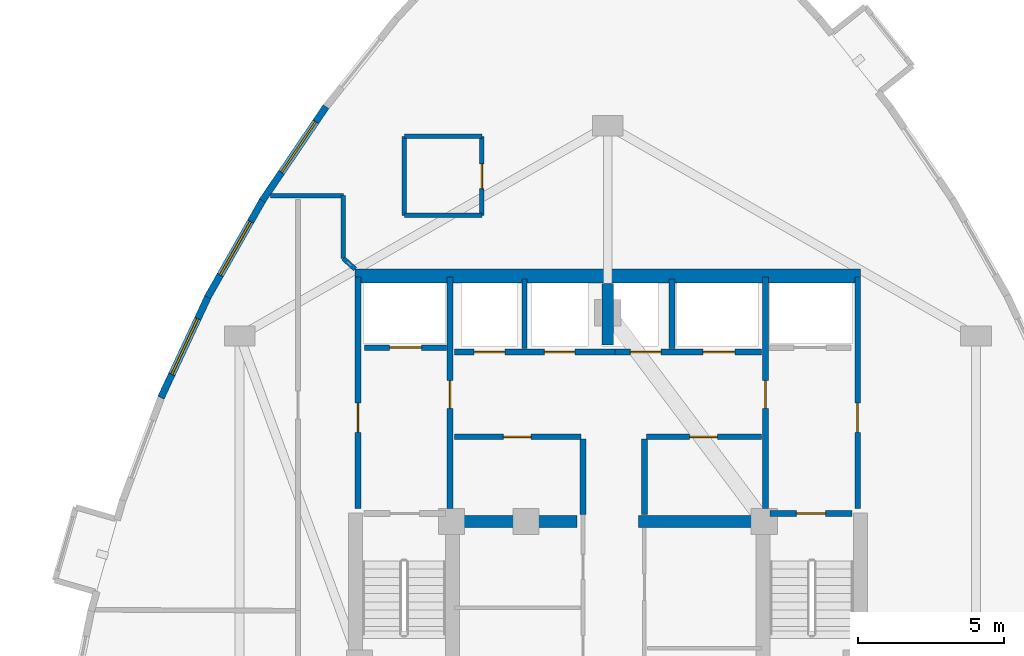
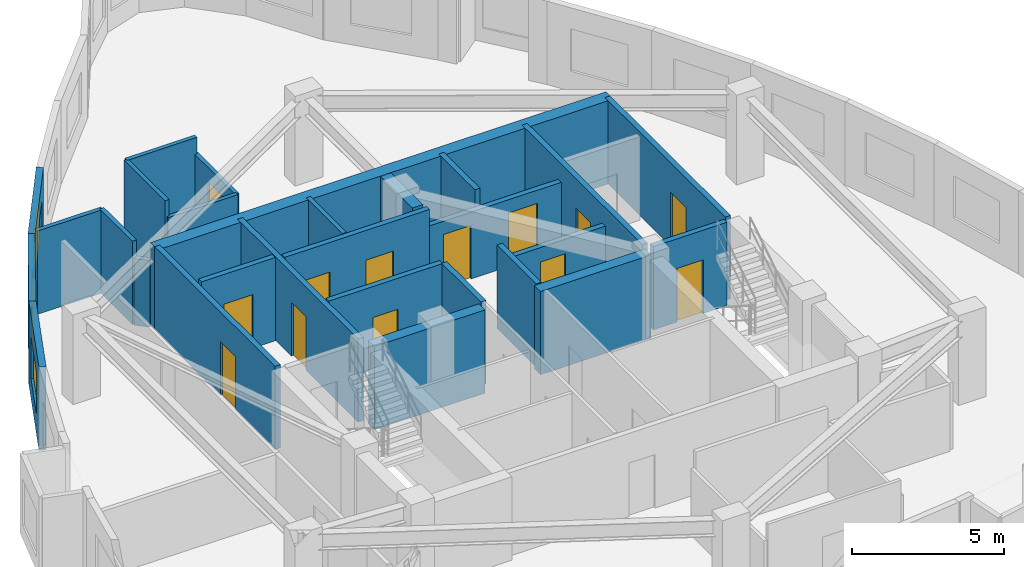
# One storey, part 7 of 10: 28 walls, 13 doors, 3 windows, 16 openings.
"""IFC4 building model written with IfcOpenShell, lengths in metres."""

from ifc_helpers import new_model, si_unit, direction, frame, frame_2d, origin, place, context, subcontext, project, spatial, rectangle, extrude, material, layer, layer_set, type_object, element, fill, save


model = new_model("IFC4")

# Units and contexts
model_context = context("Model", 3, precision=1e-05, world=origin(), true_north=direction((0.0, 1.0)))
body_context = subcontext(model_context, "Body", "Model", "MODEL_VIEW")
ifc_project = project(units=[si_unit("LENGTHUNIT", "METRE"), si_unit("AREAUNIT", "SQUARE_METRE"), si_unit("VOLUMEUNIT", "CUBIC_METRE"), si_unit("PLANEANGLEUNIT", "RADIAN"), si_unit("MASSUNIT", "GRAM", prefix="KILO")], contexts=[model_context])

# Site, building, storey
site_placement = place(None, origin())
site = spatial("IfcSite", under=ifc_project, at=site_placement, CompositionType="ELEMENT")
building_placement = place(site_placement, origin())
building = spatial("IfcBuilding", under=site, at=building_placement, Name="Miruveldt Soraemaru", CompositionType="ELEMENT")
storey_placement = place(building_placement, frame((0.0, 0.0, 226.800048828125)))
storey = spatial("IfcBuildingStorey", under=building, at=storey_placement, Name="L62", CompositionType="ELEMENT", Elevation=226.800048828125)

# Walls
ifc_material_1 = material(Name="Concrete C70/85 (70 MPa)", Category="concrete")
ifc_layer_1 = layer(ifc_material_1, 0.5, Name="Concrete C70/85 (70 MPa)", Category="concrete")
ifc_layer_set_1 = layer_set([ifc_layer_1], Name="Concrete C70/85 (70 MPa)")
wall_type_1 = type_object("IfcWallType", Name="WALL-BW-500", PredefinedType="SHEAR", material=ifc_layer_set_1)
wall_1_placement = place(storey_placement, frame((44.0, 50.10009765625, 0.0), z_axis=(0.0, 0.0, 1.0), x_axis=(0.0, 1.0, 0.0)))
element("IfcWall", 1, at=wall_1_placement, inside=storey, type_object=wall_type_1, Name="L62 Core Buttress Shear Wall BN", PredefinedType="SHEAR", context=body_context, shape_type="SweptSolid", body=[
    extrude(rectangle(XDim=2.099853515625, YDim=0.39990234375, at=frame_2d((1.0498046875, 0.0))), origin(), (0.0, 0.0, 1.0), 3.344970703125),
])
for number, where, z_axis, x_axis, name in (
    (2, (38.75, 44.050048828125, 0.0), (0.0, 0.0, 1.0), (1.0, 0.0, 0.0), "L62 Core Buttress Shear Wall BW"),
    (3, (45.050048828125, 44.050048828125, 0.0), (0.0, 0.0, 1.0), (1.0, 0.0, 0.0), "L62 Core Buttress Shear Wall BE"),
):
    element("IfcWall", number, at=place(storey_placement, frame(where, z_axis=z_axis, x_axis=x_axis)), inside=storey, type_object=wall_type_1, Name=name, PredefinedType="SHEAR", context=body_context, shape_type="SweptSolid", body=[
        extrude(rectangle(XDim=4.199951171875, YDim=0.39990234375, at=frame_2d((2.10009765625, 0.0))), origin(), (0.0, 0.0, 1.0), 3.344970703125),
    ])
ifc_material_2 = material(Name="Concrete C60/75 (60 MPa)", Category="concrete")
ifc_layer_2 = layer(ifc_material_2, 0.47998046875, Name="Concrete C60/75 (60 MPa)", Category="concrete")
ifc_layer_set_2 = layer_set([ifc_layer_2], Name="Concrete C60/75 (60 MPa)")
wall_type_2 = type_object("IfcWallType", Name="WALL-CW-480", PredefinedType="SHEAR", material=ifc_layer_set_2)
wall_2_placement = place(storey_placement, frame((35.35009765625, 52.449951171875, 0.0), z_axis=(0.0, 0.0, 1.0), x_axis=(1.0, 0.0, 0.0)))
element("IfcWall", 4, at=wall_2_placement, inside=storey, type_object=wall_type_2, Name="L62 Central Core Shear Wall N", PredefinedType="SHEAR", context=body_context, shape_type="SweptSolid", body=[
    extrude(rectangle(XDim=17.2998046875, YDim=0.47998046875, at=frame_2d((8.64990234375, 0.0))), origin(), (0.0, 0.0, 1.0), 3.344970703125),
])

# Wall, opening, window
ifc_material_3 = material(Name="Precast concrete C45/55 (45 MPa)", Category="concrete")
ifc_layer_3 = layer(ifc_material_3, 0.239990234375, Name="Precast concrete C45/55 (45 MPa)", Category="concrete")
ifc_layer_set_3 = layer_set([ifc_layer_3], Name="Precast concrete C45/55 (45 MPa)")
wall_type_3 = type_object("IfcWallType", Name="WALL-EXT-PC240", PredefinedType="SOLIDWALL", material=ifc_layer_set_3)
wall_3_placement = place(storey_placement, frame((34.358642578125, 58.252197265625, 0.0), z_axis=(0.0, 0.0, 1.0), x_axis=(-0.56079817789, -0.827952537091, 0.0)))
wall_3 = element("IfcWall", 5, at=wall_3_placement, inside=storey, type_object=wall_type_3, Name="L62 Precast Concrete Facade Wall 9", PredefinedType="SOLIDWALL", context=body_context, shape_type="SweptSolid", body=[
    extrude(rectangle(XDim=3.889404296875, YDim=0.239990234375, at=frame_2d((1.94482421875, 0.0))), origin(), (0.0, 0.0, 1.0), 3.344970703125),
])
opening_1_placement = place(wall_3_placement, frame((0.626953125, 0.0, 0.800048828125)))
opening_1 = element("IfcOpeningElement", 6, at=opening_1_placement, cuts=wall_3, Name="Opening WN-1", PredefinedType="OPENING", context=body_context, shape_type="SweptSolid", body=[
    extrude(rectangle(XDim=2.10009765625, YDim=1.699951171875, at=frame_2d((1.050048828125, 0.85009765625))), frame((0.0, 0.1298828125, 0.0), z_axis=(0.0, -1.0, 0.0), x_axis=(1.0, 0.0, 0.0)), (0.0, 0.0, 1.0), 0.260009765625),
])
ifc_material_4 = material(Name="Triple low-e insulated glazing", Category="glass")
window_type = type_object("IfcWindowType", Name="WIN-PUNCH-2100x1700", PartitioningType="SINGLE_PANEL", PredefinedType="WINDOW", material=ifc_material_4)
window_1_placement = place(opening_1_placement, origin())
window_1 = element("IfcWindow", 7, at=window_1_placement, inside=storey, type_object=window_type, Name="L62 Punched Triple-Glazed Window 09.1", OverallHeight=1.699951171875, OverallWidth=2.10009765625, PartitioningType="SINGLE_PANEL", PredefinedType="WINDOW", context=body_context, shape_type="SweptSolid", body=[
    extrude(rectangle(XDim=2.10009765625, YDim=1.699951171875, at=frame_2d((1.050048828125, 0.85009765625))), frame((0.0, 0.030029296875, 0.0), z_axis=(0.0, -1.0, 0.0), x_axis=(1.0, 0.0, 0.0)), (0.0, 0.0, 1.0), 0.06005859375),
])
fill(opening_1, window_1)

wall_4_placement = place(storey_placement, frame((32.21435546875, 55.091552734375, 0.0), z_axis=(0.0, 0.0, 1.0), x_axis=(-0.493367923575, -0.86982072405, 0.0)))
wall_4 = element("IfcWall", 8, at=wall_4_placement, inside=storey, type_object=wall_type_3, Name="L62 Precast Concrete Facade Wall 10", PredefinedType="SOLIDWALL", context=body_context, shape_type="SweptSolid", body=[
    extrude(rectangle(XDim=3.865234375, YDim=0.239990234375, at=frame_2d((1.9326171875, 0.0))), origin(), (0.0, 0.0, 1.0), 3.344970703125),
])
opening_2_placement = place(wall_4_placement, frame((0.89599609375, 0.0, 0.800048828125)))
opening_2 = element("IfcOpeningElement", 9, at=opening_2_placement, cuts=wall_4, Name="Opening WN-1", PredefinedType="OPENING", context=body_context, shape_type="SweptSolid", body=[
    extrude(rectangle(XDim=2.10009765625, YDim=1.699951171875, at=frame_2d((1.050048828125, 0.85009765625))), frame((0.0, 0.1298828125, 0.0), z_axis=(0.0, -1.0, 0.0), x_axis=(1.0, 0.0, 0.0)), (0.0, 0.0, 1.0), 0.260009765625),
])
window_2_placement = place(opening_2_placement, origin())
window_2 = element("IfcWindow", 10, at=window_2_placement, inside=storey, type_object=window_type, Name="L62 Punched Triple-Glazed Window 10.1", OverallHeight=1.699951171875, OverallWidth=2.10009765625, PartitioningType="SINGLE_PANEL", PredefinedType="WINDOW", context=body_context, shape_type="SweptSolid", body=[
    extrude(rectangle(XDim=2.10009765625, YDim=1.699951171875, at=frame_2d((1.050048828125, 0.85009765625))), frame((0.0, 0.030029296875, 0.0), z_axis=(0.0, -1.0, 0.0), x_axis=(1.0, 0.0, 0.0)), (0.0, 0.0, 1.0), 0.06005859375),
])
fill(opening_2, window_2)

wall_5_placement = place(storey_placement, frame((30.339599609375, 51.791748046875, 0.0), z_axis=(0.0, 0.0, 1.0), x_axis=(-0.422307921973, -0.90645243617, 0.0)))
wall_5 = element("IfcWall", 11, at=wall_5_placement, inside=storey, type_object=wall_type_3, Name="L62 Precast Concrete Facade Wall 11", PredefinedType="SOLIDWALL", context=body_context, shape_type="SweptSolid", body=[
    extrude(rectangle(XDim=3.865234375, YDim=0.239990234375, at=frame_2d((1.9326171875, 0.0))), origin(), (0.0, 0.0, 1.0), 3.344970703125),
])
opening_3_placement = place(wall_5_placement, frame((0.883056640625, 0.0, 0.800048828125)))
opening_3 = element("IfcOpeningElement", 12, at=opening_3_placement, cuts=wall_5, Name="Opening WN-1", PredefinedType="OPENING", context=body_context, shape_type="SweptSolid", body=[
    extrude(rectangle(XDim=2.10009765625, YDim=1.699951171875, at=frame_2d((1.050048828125, 0.85009765625))), frame((0.0, 0.1298828125, 0.0), z_axis=(0.0, -1.0, 0.0), x_axis=(1.0, 0.0, 0.0)), (0.0, 0.0, 1.0), 0.260009765625),
])
window_3_placement = place(opening_3_placement, origin())
window_3 = element("IfcWindow", 13, at=window_3_placement, inside=storey, type_object=window_type, Name="L62 Punched Triple-Glazed Window 11.1", OverallHeight=1.699951171875, OverallWidth=2.10009765625, PartitioningType="SINGLE_PANEL", PredefinedType="WINDOW", context=body_context, shape_type="SweptSolid", body=[
    extrude(rectangle(XDim=2.10009765625, YDim=1.699951171875, at=frame_2d((1.050048828125, 0.85009765625))), frame((0.0, 0.030029296875, 0.0), z_axis=(0.0, -1.0, 0.0), x_axis=(1.0, 0.0, 0.0)), (0.0, 0.0, 1.0), 0.06005859375),
])
fill(opening_3, window_3)

# Wall, opening, door
ifc_material_5 = material(Name="Gypsum plasterboard lining", Category="gypsum")
ifc_layer_4 = layer(ifc_material_5, 0.14990234375, Name="Gypsum plasterboard lining", Category="gypsum")
ifc_layer_set_4 = layer_set([ifc_layer_4], Name="Gypsum plasterboard lining")
wall_type_4 = type_object("IfcWallType", Name="WALL-INT-PLUMB", PredefinedType="PLUMBINGWALL", material=ifc_layer_set_4)
wall_6_placement = place(storey_placement, frame((39.68798828125, 54.530029296875, 0.0), z_axis=(0.0, 0.0, 1.0), x_axis=(0.0, 1.0, 0.0)))
wall_6 = element("IfcWall", 14, at=wall_6_placement, inside=storey, type_object=wall_type_4, Name="L62 Partition Wall 11", PredefinedType="PLUMBINGWALL", context=body_context, shape_type="SweptSolid", body=[
    extrude(rectangle(XDim=2.699951171875, YDim=0.14990234375, at=frame_2d((1.35009765625, 0.0))), origin(), (0.0, 0.0, 1.0), 2.682861328125),
])
opening_4_placement = place(wall_6_placement, frame((0.909912109375, 0.0, 0.0)))
opening_4 = element("IfcOpeningElement", 15, at=opening_4_placement, cuts=wall_6, Name="Opening FD3", PredefinedType="OPENING", context=body_context, shape_type="SweptSolid", body=[
    extrude(rectangle(XDim=0.85009765625, YDim=2.10009765625, at=frame_2d((0.425048828125, 1.050048828125))), frame((0.0, 0.0849609375, 0.0), z_axis=(0.0, -1.0, 0.0), x_axis=(1.0, 0.0, 0.0)), (0.0, 0.0, 1.0), 0.169921875),
])
ifc_material_6 = material(Name="Anodised aluminium EN AW-6063 T6", Category="aluminium")
door_type_1 = type_object("IfcDoorType", Name="DOOR-FD3-850", OperationType="NOTDEFINED", PredefinedType="DOOR", material=ifc_material_6)
door_1_placement = place(opening_4_placement, origin())
door_1 = element("IfcDoor", 16, at=door_1_placement, inside=storey, type_object=door_type_1, Name="L62 Unit CL01 BTH Door", OperationType="SINGLE_SWING_RIGHT", OverallHeight=2.10009765625, OverallWidth=0.85009765625, PredefinedType="DOOR", context=body_context, shape_type="SweptSolid", body=[
    extrude(rectangle(XDim=0.85009765625, YDim=2.10009765625, at=frame_2d((0.425048828125, 1.050048828125))), frame((0.0, 0.02490234375, 0.0), z_axis=(0.0, -1.0, 0.0), x_axis=(1.0, 0.0, 0.0)), (0.0, 0.0, 1.0), 0.050048828125),
])
fill(opening_4, door_1)

# Walls
wall_7_placement = place(storey_placement, frame((37.0380859375, 57.22998046875, 0.0), z_axis=(0.0, 0.0, 1.0), x_axis=(0.0, -1.0, 0.0)))
element("IfcWall", 17, at=wall_7_placement, inside=storey, type_object=wall_type_4, Name="L62 Partition Wall 13", PredefinedType="PLUMBINGWALL", context=body_context, shape_type="SweptSolid", body=[
    extrude(rectangle(XDim=2.699951171875, YDim=0.14990234375, at=frame_2d((1.35009765625, 0.0))), origin(), (0.0, 0.0, 1.0), 3.344970703125),
])
wall_8_placement = place(storey_placement, frame((39.68798828125, 57.22998046875, 0.0), z_axis=(0.0, 0.0, 1.0), x_axis=(-1.0, 0.0, 0.0)))
element("IfcWall", 18, at=wall_8_placement, inside=storey, type_object=wall_type_4, Name="L62 Partition Wall 12", PredefinedType="PLUMBINGWALL", context=body_context, shape_type="SweptSolid", body=[
    extrude(rectangle(XDim=2.64990234375, YDim=0.14990234375, at=frame_2d((1.324951171875, 0.0))), origin(), (0.0, 0.0, 1.0), 3.344970703125),
])
wall_9_placement = place(storey_placement, frame((37.0380859375, 54.530029296875, 0.0), z_axis=(0.0, 0.0, 1.0), x_axis=(1.0, 0.0, 0.0)))
element("IfcWall", 19, at=wall_9_placement, inside=storey, type_object=wall_type_4, Name="L62 Partition Wall 14", PredefinedType="PLUMBINGWALL", context=body_context, shape_type="SweptSolid", body=[
    extrude(rectangle(XDim=2.64990234375, YDim=0.14990234375, at=frame_2d((1.324951171875, 0.0))), origin(), (0.0, 0.0, 1.0), 2.682861328125),
])
ifc_material_7 = material(Name="Concrete C40/50 (40 MPa)", Category="concrete")
ifc_layer_5 = layer(ifc_material_7, 0.159912109375, Name="Concrete C40/50 (40 MPa)", Category="concrete")
ifc_layer_set_5 = layer_set([ifc_layer_5], Name="Concrete C40/50 (40 MPa)")
wall_type_5 = type_object("IfcWallType", Name="WALL-INT-RC160", PredefinedType="SOLIDWALL", material=ifc_layer_set_5)
wall_10_placement = place(storey_placement, frame((34.949951171875, 55.199951171875, 0.0), z_axis=(0.0, 0.0, 1.0), x_axis=(-1.0, 0.0, 0.0)))
element("IfcWall", 20, at=wall_10_placement, inside=storey, type_object=wall_type_5, Name="L62 Partition Wall 2", PredefinedType="SOLIDWALL", context=body_context, shape_type="SweptSolid", body=[
    extrude(rectangle(XDim=2.495849609375, YDim=0.159912109375, at=frame_2d((1.248046875, 0.0))), origin(), (0.0, 0.0, 1.0), 3.344970703125),
])
wall_11_placement = place(storey_placement, frame((41.14990234375, 49.97998046875, 0.0), z_axis=(0.0, 0.0, 1.0), x_axis=(0.0, 1.0, 0.0)))
element("IfcWall", 21, at=wall_11_placement, inside=storey, type_object=wall_type_5, Name="L62 Core Compartment Wall PLH-DIV1", PredefinedType="SOLIDWALL", context=body_context, shape_type="SweptSolid", body=[
    extrude(rectangle(XDim=2.3701171875, YDim=0.159912109375, at=frame_2d((1.18505859375, 0.0))), origin(), (0.0, 0.0, 1.0), 3.344970703125),
])
wall_12_placement = place(storey_placement, frame((34.949951171875, 53.053955078125, 0.0), z_axis=(0.0, 0.0, 1.0), x_axis=(0.0, 1.0, 0.0)))
element("IfcWall", 22, at=wall_12_placement, inside=storey, type_object=wall_type_5, Name="L62 Partition Wall 1", PredefinedType="SOLIDWALL", context=body_context, shape_type="SweptSolid", body=[
    extrude(rectangle(XDim=2.14599609375, YDim=0.159912109375, at=frame_2d((1.072998046875, 0.0))), origin(), (0.0, 0.0, 1.0), 3.344970703125),
])
wall_13_placement = place(storey_placement, frame((34.949951171875, 53.053955078125, 0.0), z_axis=(0.0, 0.0, 1.0), x_axis=(0.739715392641, -0.672919859931, 0.0)))
element("IfcWall", 23, at=wall_13_placement, inside=storey, type_object=wall_type_5, Name="L62 Partition Closure Return 1", PredefinedType="SOLIDWALL", context=body_context, shape_type="SweptSolid", body=[
    extrude(rectangle(XDim=0.541015625, YDim=0.159912109375, at=frame_2d((0.2705078125, 0.0))), origin(), (0.0, 0.0, 1.0), 2.682861328125),
])

# Wall, opening, door
ifc_layer_6 = layer(ifc_material_7, 0.199951171875, Name="Concrete C40/50 (40 MPa)", Category="concrete")
ifc_layer_set_6 = layer_set([ifc_layer_6], Name="Concrete C40/50 (40 MPa)")
wall_type_6 = type_object("IfcWallType", Name="WALL-INT-RC200", PredefinedType="SOLIDWALL", material=ifc_layer_set_6)
wall_14_placement = place(storey_placement, frame((35.449951171875, 44.5, 0.0), z_axis=(0.0, 0.0, 1.0), x_axis=(0.0, 1.0, 0.0)))
wall_14 = element("IfcWall", 24, at=wall_14_placement, inside=storey, type_object=wall_type_6, Name="L62 Core Compartment Wall FFW-OUT", PredefinedType="SOLIDWALL", context=body_context, shape_type="SweptSolid", body=[
    extrude(rectangle(XDim=7.919921875, YDim=0.199951171875, at=frame_2d((3.9599609375, 0.0))), origin(), (0.0, 0.0, 1.0), 3.344970703125),
])
opening_5_placement = place(wall_14_placement, frame((2.60009765625, 0.0, 0.0)))
opening_5 = element("IfcOpeningElement", 25, at=opening_5_placement, cuts=wall_14, Name="Opening FD1", PredefinedType="OPENING", context=body_context, shape_type="SweptSolid", body=[
    extrude(rectangle(XDim=1.0, YDim=2.14990234375, at=frame_2d((0.5, 1.074951171875))), frame((0.0, 0.10986328125, 0.0), z_axis=(0.0, -1.0, 0.0), x_axis=(1.0, 0.0, 0.0)), (0.0, 0.0, 1.0), 0.219970703125),
])
door_type_2 = type_object("IfcDoorType", Name="DOOR-FD1-1000", OperationType="NOTDEFINED", PredefinedType="DOOR", material=ifc_material_6)
door_2_placement = place(opening_5_placement, origin())
door_2 = element("IfcDoor", 26, at=door_2_placement, inside=storey, type_object=door_type_2, Name="L62 West Firefighting Lobby Exit Door", OperationType="SINGLE_SWING_LEFT", OverallHeight=2.14990234375, OverallWidth=1.0, PredefinedType="DOOR", context=body_context, shape_type="SweptSolid", body=[
    extrude(rectangle(XDim=1.0, YDim=2.14990234375, at=frame_2d((0.5, 1.074951171875))), frame((0.0, 0.02490234375, 0.0), z_axis=(0.0, -1.0, 0.0), x_axis=(1.0, 0.0, 0.0)), (0.0, 0.0, 1.0), 0.050048828125),
])
fill(opening_5, door_2)

wall_15_placement = place(storey_placement, frame((52.550048828125, 44.5, 0.0), z_axis=(0.0, 0.0, 1.0), x_axis=(0.0, 1.0, 0.0)))
wall_15 = element("IfcWall", 27, at=wall_15_placement, inside=storey, type_object=wall_type_6, Name="L62 Core Compartment Wall FFE-OUT", PredefinedType="SOLIDWALL", context=body_context, shape_type="SweptSolid", body=[
    extrude(rectangle(XDim=7.919921875, YDim=0.199951171875, at=frame_2d((3.9599609375, 0.0))), origin(), (0.0, 0.0, 1.0), 3.344970703125),
])
opening_6_placement = place(wall_15_placement, frame((2.60009765625, 0.0, 0.0)))
opening_6 = element("IfcOpeningElement", 28, at=opening_6_placement, cuts=wall_15, Name="Opening FD1", PredefinedType="OPENING", context=body_context, shape_type="SweptSolid", body=[
    extrude(rectangle(XDim=1.0, YDim=2.14990234375, at=frame_2d((0.5, 1.074951171875))), frame((0.0, 0.10986328125, 0.0), z_axis=(0.0, -1.0, 0.0), x_axis=(1.0, 0.0, 0.0)), (0.0, 0.0, 1.0), 0.219970703125),
])
door_3_placement = place(opening_6_placement, frame((1.0, 0.0, 0.0), z_axis=(0.0, 0.0, 1.0), x_axis=(-1.0, 0.0, 0.0)))
door_3 = element("IfcDoor", 29, at=door_3_placement, inside=storey, type_object=door_type_2, Name="L62 East Firefighting Lobby Exit Door", OperationType="SINGLE_SWING_RIGHT", OverallHeight=2.14990234375, OverallWidth=1.0, PredefinedType="DOOR", context=body_context, shape_type="SweptSolid", body=[
    extrude(rectangle(XDim=1.0, YDim=2.14990234375, at=frame_2d((0.5, 1.074951171875))), frame((0.0, 0.02490234375, 0.0), z_axis=(0.0, -1.0, 0.0), x_axis=(1.0, 0.0, 0.0)), (0.0, 0.0, 1.0), 0.050048828125),
])
fill(opening_6, door_3)

wall_16_placement = place(storey_placement, frame((38.60009765625, 44.5, 0.0), z_axis=(0.0, 0.0, 1.0), x_axis=(0.0, 1.0, 0.0)))
wall_16 = element("IfcWall", 30, at=wall_16_placement, inside=storey, type_object=wall_type_6, Name="L62 Core Compartment Wall FFW-IN", PredefinedType="SOLIDWALL", context=body_context, shape_type="SweptSolid", body=[
    extrude(rectangle(XDim=7.919921875, YDim=0.199951171875, at=frame_2d((3.9599609375, 0.0))), origin(), (0.0, 0.0, 1.0), 3.344970703125),
])
opening_7_placement = place(wall_16_placement, frame((3.425048828125, 0.0, 0.0)))
opening_7 = element("IfcOpeningElement", 31, at=opening_7_placement, cuts=wall_16, Name="Opening FD2", PredefinedType="OPENING", context=body_context, shape_type="SweptSolid", body=[
    extrude(rectangle(XDim=0.949951171875, YDim=2.14990234375, at=frame_2d((0.47509765625, 1.074951171875))), frame((0.0, 0.10986328125, 0.0), z_axis=(0.0, -1.0, 0.0), x_axis=(1.0, 0.0, 0.0)), (0.0, 0.0, 1.0), 0.219970703125),
])
door_type_3 = type_object("IfcDoorType", Name="DOOR-FD2-950", OperationType="NOTDEFINED", PredefinedType="DOOR", material=ifc_material_6)
door_4_placement = place(opening_7_placement, frame((0.949951171875, 0.0, 0.0), z_axis=(0.0, 0.0, 1.0), x_axis=(-1.0, 0.0, 0.0)))
door_4 = element("IfcDoor", 32, at=door_4_placement, inside=storey, type_object=door_type_3, Name="L62 Lift Lobby to West Fire Lobby Door", OperationType="SINGLE_SWING_RIGHT", OverallHeight=2.14990234375, OverallWidth=0.949951171875, PredefinedType="DOOR", context=body_context, shape_type="SweptSolid", body=[
    extrude(rectangle(XDim=0.949951171875, YDim=2.14990234375, at=frame_2d((0.47509765625, 1.074951171875))), frame((0.0, 0.02490234375, 0.0), z_axis=(0.0, -1.0, 0.0), x_axis=(1.0, 0.0, 0.0)), (0.0, 0.0, 1.0), 0.050048828125),
])
fill(opening_7, door_4)

wall_17_placement = place(storey_placement, frame((49.39990234375, 44.5, 0.0), z_axis=(0.0, 0.0, 1.0), x_axis=(0.0, 1.0, 0.0)))
wall_17 = element("IfcWall", 33, at=wall_17_placement, inside=storey, type_object=wall_type_6, Name="L62 Core Compartment Wall FFE-IN", PredefinedType="SOLIDWALL", context=body_context, shape_type="SweptSolid", body=[
    extrude(rectangle(XDim=7.919921875, YDim=0.199951171875, at=frame_2d((3.9599609375, 0.0))), origin(), (0.0, 0.0, 1.0), 3.344970703125),
])
opening_8_placement = place(wall_17_placement, frame((3.425048828125, 0.0, 0.0)))
opening_8 = element("IfcOpeningElement", 34, at=opening_8_placement, cuts=wall_17, Name="Opening FD2", PredefinedType="OPENING", context=body_context, shape_type="SweptSolid", body=[
    extrude(rectangle(XDim=0.949951171875, YDim=2.14990234375, at=frame_2d((0.47509765625, 1.074951171875))), frame((0.0, 0.10986328125, 0.0), z_axis=(0.0, -1.0, 0.0), x_axis=(1.0, 0.0, 0.0)), (0.0, 0.0, 1.0), 0.219970703125),
])
door_5_placement = place(opening_8_placement, origin())
door_5 = element("IfcDoor", 35, at=door_5_placement, inside=storey, type_object=door_type_3, Name="L62 Lift Lobby to East Fire Lobby Door", OperationType="SINGLE_SWING_LEFT", OverallHeight=2.14990234375, OverallWidth=0.949951171875, PredefinedType="DOOR", context=body_context, shape_type="SweptSolid", body=[
    extrude(rectangle(XDim=0.949951171875, YDim=2.14990234375, at=frame_2d((0.47509765625, 1.074951171875))), frame((0.0, 0.02490234375, 0.0), z_axis=(0.0, -1.0, 0.0), x_axis=(1.0, 0.0, 0.0)), (0.0, 0.0, 1.0), 0.050048828125),
])
fill(opening_8, door_5)

# Wall, openings, doors
wall_18_placement = place(storey_placement, frame((38.75, 49.85009765625, 0.0), z_axis=(0.0, 0.0, 1.0), x_axis=(1.0, 0.0, 0.0)))
wall_18 = element("IfcWall", 36, at=wall_18_placement, inside=storey, type_object=wall_type_6, Name="L62 Core Compartment Wall ROWA-SW", PredefinedType="SOLIDWALL", context=body_context, shape_type="SweptSolid", body=[
    extrude(rectangle(XDim=5.5, YDim=0.199951171875, at=frame_2d((2.75, 0.0))), origin(), (0.0, 0.0, 1.0), 3.344970703125),
])
opening_9_placement = place(wall_18_placement, frame((0.675048828125, 0.0, 0.0)))
opening_9 = element("IfcOpeningElement", 37, at=opening_9_placement, cuts=wall_18, Name="Opening LD1", PredefinedType="OPENING", context=body_context, shape_type="SweptSolid", body=[
    extrude(rectangle(XDim=1.050048828125, YDim=2.14990234375, at=frame_2d((0.52490234375, 1.074951171875))), frame((0.0, 0.10986328125, 0.0), z_axis=(0.0, -1.0, 0.0), x_axis=(1.0, 0.0, 0.0)), (0.0, 0.0, 1.0), 0.219970703125),
])
opening_10_placement = place(wall_18_placement, frame((3.074951171875, 0.0, 0.0)))
opening_10 = element("IfcOpeningElement", 38, at=opening_10_placement, cuts=wall_18, Name="Opening LD1", PredefinedType="OPENING", context=body_context, shape_type="SweptSolid", body=[
    extrude(rectangle(XDim=1.050048828125, YDim=2.14990234375, at=frame_2d((0.52490234375, 1.074951171875))), frame((0.0, 0.10986328125, 0.0), z_axis=(0.0, -1.0, 0.0), x_axis=(1.0, 0.0, 0.0)), (0.0, 0.0, 1.0), 0.219970703125),
])
door_type_4 = type_object("IfcDoorType", Name="DOOR-LD1-1050", OperationType="SLIDING_TO_LEFT", PredefinedType="DOOR", material=ifc_material_6)
door_6_placement = place(opening_9_placement, origin())
door_6 = element("IfcDoor", 39, at=door_6_placement, inside=storey, type_object=door_type_4, Name="L62 PL-H1 Landing Door", OperationType="SLIDING_TO_LEFT", OverallHeight=2.14990234375, OverallWidth=1.050048828125, PredefinedType="DOOR", context=body_context, shape_type="SweptSolid", body=[
    extrude(rectangle(XDim=1.050048828125, YDim=2.14990234375, at=frame_2d((0.52490234375, 1.074951171875))), frame((0.0, 0.02490234375, 0.0), z_axis=(0.0, -1.0, 0.0), x_axis=(1.0, 0.0, 0.0)), (0.0, 0.0, 1.0), 0.050048828125),
])
fill(opening_9, door_6)
door_7_placement = place(opening_10_placement, origin())
door_7 = element("IfcDoor", 40, at=door_7_placement, inside=storey, type_object=door_type_4, Name="L62 PL-H2 Landing Door", OperationType="SLIDING_TO_LEFT", OverallHeight=2.14990234375, OverallWidth=1.050048828125, PredefinedType="DOOR", context=body_context, shape_type="SweptSolid", body=[
    extrude(rectangle(XDim=1.050048828125, YDim=2.14990234375, at=frame_2d((0.52490234375, 1.074951171875))), frame((0.0, 0.02490234375, 0.0), z_axis=(0.0, -1.0, 0.0), x_axis=(1.0, 0.0, 0.0)), (0.0, 0.0, 1.0), 0.050048828125),
])
fill(opening_10, door_7)

wall_19_placement = place(storey_placement, frame((44.25, 49.85009765625, 0.0), z_axis=(0.0, 0.0, 1.0), x_axis=(1.0, 0.0, 0.0)))
wall_19 = element("IfcWall", 41, at=wall_19_placement, inside=storey, type_object=wall_type_6, Name="L62 Core Compartment Wall ROWA-SE", PredefinedType="SOLIDWALL", context=body_context, shape_type="SweptSolid", body=[
    extrude(rectangle(XDim=5.0, YDim=0.199951171875, at=frame_2d((2.5, 0.0))), origin(), (0.0, 0.0, 1.0), 2.682861328125),
])
opening_11_placement = place(wall_19_placement, frame((0.52490234375, 0.0, 0.0)))
opening_11 = element("IfcOpeningElement", 42, at=opening_11_placement, cuts=wall_19, Name="Opening LD1", PredefinedType="OPENING", context=body_context, shape_type="SweptSolid", body=[
    extrude(rectangle(XDim=1.050048828125, YDim=2.14990234375, at=frame_2d((0.52490234375, 1.074951171875))), frame((0.0, 0.10986328125, 0.0), z_axis=(0.0, -1.0, 0.0), x_axis=(1.0, 0.0, 0.0)), (0.0, 0.0, 1.0), 0.219970703125),
])
opening_12_placement = place(wall_19_placement, frame((3.0, 0.0, 0.0)))
opening_12 = element("IfcOpeningElement", 43, at=opening_12_placement, cuts=wall_19, Name="Opening LD2", PredefinedType="OPENING", context=body_context, shape_type="SweptSolid", body=[
    extrude(rectangle(XDim=1.10009765625, YDim=2.14990234375, at=frame_2d((0.550048828125, 1.074951171875))), frame((0.0, 0.10986328125, 0.0), z_axis=(0.0, -1.0, 0.0), x_axis=(1.0, 0.0, 0.0)), (0.0, 0.0, 1.0), 0.219970703125),
])
door_8_placement = place(opening_11_placement, origin())
door_8 = element("IfcDoor", 44, at=door_8_placement, inside=storey, type_object=door_type_4, Name="L62 PL-H3 Landing Door", OperationType="SLIDING_TO_LEFT", OverallHeight=2.14990234375, OverallWidth=1.050048828125, PredefinedType="DOOR", context=body_context, shape_type="SweptSolid", body=[
    extrude(rectangle(XDim=1.050048828125, YDim=2.14990234375, at=frame_2d((0.52490234375, 1.074951171875))), frame((0.0, 0.02490234375, 0.0), z_axis=(0.0, -1.0, 0.0), x_axis=(1.0, 0.0, 0.0)), (0.0, 0.0, 1.0), 0.050048828125),
])
fill(opening_11, door_8)
door_type_5 = type_object("IfcDoorType", Name="DOOR-LD2-1100", OperationType="SLIDING_TO_LEFT", PredefinedType="DOOR", material=ifc_material_6)
door_9_placement = place(opening_12_placement, origin())
door_9 = element("IfcDoor", 45, at=door_9_placement, inside=storey, type_object=door_type_5, Name="L62 SL-1 Landing Door", OperationType="SLIDING_TO_LEFT", OverallHeight=2.14990234375, OverallWidth=1.10009765625, PredefinedType="DOOR", context=body_context, shape_type="SweptSolid", body=[
    extrude(rectangle(XDim=1.10009765625, YDim=2.14990234375, at=frame_2d((0.550048828125, 1.074951171875))), frame((0.0, 0.02490234375, 0.0), z_axis=(0.0, -1.0, 0.0), x_axis=(1.0, 0.0, 0.0)), (0.0, 0.0, 1.0), 0.050048828125),
])
fill(opening_12, door_9)

# Wall, opening, door
wall_20_placement = place(storey_placement, frame((38.75, 46.949951171875, 0.0), z_axis=(0.0, 0.0, 1.0), x_axis=(1.0, 0.0, 0.0)))
wall_20 = element("IfcWall", 46, at=wall_20_placement, inside=storey, type_object=wall_type_6, Name="L62 Core Compartment Wall MBW-N", PredefinedType="SOLIDWALL", context=body_context, shape_type="SweptSolid", body=[
    extrude(rectangle(XDim=4.330078125, YDim=0.199951171875, at=frame_2d((2.1650390625, 0.0))), origin(), (0.0, 0.0, 1.0), 3.344970703125),
])
opening_13_placement = place(wall_20_placement, frame((1.675048828125, 0.0, 0.0)))
opening_13 = element("IfcOpeningElement", 47, at=opening_13_placement, cuts=wall_20, Name="Opening D2", PredefinedType="OPENING", context=body_context, shape_type="SweptSolid", body=[
    extrude(rectangle(XDim=0.949951171875, YDim=2.10009765625, at=frame_2d((0.47509765625, 1.050048828125))), frame((0.0, 0.10986328125, 0.0), z_axis=(0.0, -1.0, 0.0), x_axis=(1.0, 0.0, 0.0)), (0.0, 0.0, 1.0), 0.219970703125),
])
door_type_6 = type_object("IfcDoorType", Name="DOOR-INT-950", OperationType="NOTDEFINED", PredefinedType="DOOR", material=ifc_material_6)
door_10_placement = place(opening_13_placement, origin())
door_10 = element("IfcDoor", 48, at=door_10_placement, inside=storey, type_object=door_type_6, Name="L62 Fire Door", OperationType="SINGLE_SWING_LEFT", OverallHeight=2.10009765625, OverallWidth=0.949951171875, PredefinedType="DOOR", context=body_context, shape_type="SweptSolid", body=[
    extrude(rectangle(XDim=0.949951171875, YDim=2.10009765625, at=frame_2d((0.47509765625, 1.050048828125))), frame((0.0, 0.02490234375, 0.0), z_axis=(0.0, -1.0, 0.0), x_axis=(1.0, 0.0, 0.0)), (0.0, 0.0, 1.0), 0.050048828125),
])
fill(opening_13, door_10)

wall_21_placement = place(storey_placement, frame((45.320068359375, 46.949951171875, 0.0), z_axis=(0.0, 0.0, 1.0), x_axis=(1.0, 0.0, 0.0)))
wall_21 = element("IfcWall", 49, at=wall_21_placement, inside=storey, type_object=wall_type_6, Name="L62 Core Compartment Wall MBE-N", PredefinedType="SOLIDWALL", context=body_context, shape_type="SweptSolid", body=[
    extrude(rectangle(XDim=3.929931640625, YDim=0.199951171875, at=frame_2d((1.96484375, 0.0))), origin(), (0.0, 0.0, 1.0), 2.682861328125),
])
opening_14_placement = place(wall_21_placement, frame((1.47509765625, 0.0, 0.0)))
opening_14 = element("IfcOpeningElement", 50, at=opening_14_placement, cuts=wall_21, Name="Opening D2", PredefinedType="OPENING", context=body_context, shape_type="SweptSolid", body=[
    extrude(rectangle(XDim=0.949951171875, YDim=2.10009765625, at=frame_2d((0.47509765625, 1.050048828125))), frame((0.0, 0.10986328125, 0.0), z_axis=(0.0, -1.0, 0.0), x_axis=(1.0, 0.0, 0.0)), (0.0, 0.0, 1.0), 0.219970703125),
])
door_11_placement = place(opening_14_placement, origin())
door_11 = element("IfcDoor", 51, at=door_11_placement, inside=storey, type_object=door_type_6, Name="L62 Fire Door", OperationType="SINGLE_SWING_LEFT", OverallHeight=2.10009765625, OverallWidth=0.949951171875, PredefinedType="DOOR", context=body_context, shape_type="SweptSolid", body=[
    extrude(rectangle(XDim=0.949951171875, YDim=2.10009765625, at=frame_2d((0.47509765625, 1.050048828125))), frame((0.0, 0.02490234375, 0.0), z_axis=(0.0, -1.0, 0.0), x_axis=(1.0, 0.0, 0.0)), (0.0, 0.0, 1.0), 0.050048828125),
])
fill(opening_14, door_11)

wall_22_placement = place(storey_placement, frame((49.550048828125, 44.320068359375, 0.0), z_axis=(0.0, 0.0, 1.0), x_axis=(1.0, 0.0, 0.0)))
wall_22 = element("IfcWall", 52, at=wall_22_placement, inside=storey, type_object=wall_type_6, Name="L62 Core Compartment Wall ST2-N", PredefinedType="SOLIDWALL", context=body_context, shape_type="SweptSolid", body=[
    extrude(rectangle(XDim=2.800048828125, YDim=0.199951171875, at=frame_2d((1.39990234375, 0.0))), origin(), (0.0, 0.0, 1.0), 3.344970703125),
])
opening_15_placement = place(wall_22_placement, frame((0.89990234375, 0.0, 0.0)))
opening_15 = element("IfcOpeningElement", 53, at=opening_15_placement, cuts=wall_22, Name="Opening FD1", PredefinedType="OPENING", context=body_context, shape_type="SweptSolid", body=[
    extrude(rectangle(XDim=1.0, YDim=2.14990234375, at=frame_2d((0.5, 1.074951171875))), frame((0.0, 0.10986328125, 0.0), z_axis=(0.0, -1.0, 0.0), x_axis=(1.0, 0.0, 0.0)), (0.0, 0.0, 1.0), 0.219970703125),
])
door_12_placement = place(opening_15_placement, frame((1.0, 0.0, 0.0), z_axis=(0.0, 0.0, 1.0), x_axis=(-1.0, 0.0, 0.0)))
door_12 = element("IfcDoor", 54, at=door_12_placement, inside=storey, type_object=door_type_2, Name="L62 Stair ST-2 Fire Door", OperationType="SINGLE_SWING_RIGHT", OverallHeight=2.14990234375, OverallWidth=1.0, PredefinedType="DOOR", context=body_context, shape_type="SweptSolid", body=[
    extrude(rectangle(XDim=1.0, YDim=2.14990234375, at=frame_2d((0.5, 1.074951171875))), frame((0.0, 0.02490234375, 0.0), z_axis=(0.0, -1.0, 0.0), x_axis=(1.0, 0.0, 0.0)), (0.0, 0.0, 1.0), 0.050048828125),
])
fill(opening_15, door_12)

wall_23_placement = place(storey_placement, frame((35.679931640625, 50.0, 0.0), z_axis=(0.0, 0.0, 1.0), x_axis=(1.0, 0.0, 0.0)))
wall_23 = element("IfcWall", 55, at=wall_23_placement, inside=storey, type_object=wall_type_6, Name="L62 Core Compartment Wall FFL1-S", PredefinedType="SOLIDWALL", context=body_context, shape_type="SweptSolid", body=[
    extrude(rectangle(XDim=2.800048828125, YDim=0.199951171875, at=frame_2d((1.39990234375, 0.0))), origin(), (0.0, 0.0, 1.0), 3.344970703125),
])
opening_16_placement = place(wall_23_placement, frame((0.85009765625, 0.0, 0.0)))
opening_16 = element("IfcOpeningElement", 56, at=opening_16_placement, cuts=wall_23, Name="Opening LD2", PredefinedType="OPENING", context=body_context, shape_type="SweptSolid", body=[
    extrude(rectangle(XDim=1.10009765625, YDim=2.14990234375, at=frame_2d((0.550048828125, 1.074951171875))), frame((0.0, 0.10986328125, 0.0), z_axis=(0.0, -1.0, 0.0), x_axis=(1.0, 0.0, 0.0)), (0.0, 0.0, 1.0), 0.219970703125),
])
door_13_placement = place(opening_16_placement, origin())
door_13 = element("IfcDoor", 57, at=door_13_placement, inside=storey, type_object=door_type_5, Name="L62 FFL-1 Landing Door", OperationType="SLIDING_TO_LEFT", OverallHeight=2.14990234375, OverallWidth=1.10009765625, PredefinedType="DOOR", context=body_context, shape_type="SweptSolid", body=[
    extrude(rectangle(XDim=1.10009765625, YDim=2.14990234375, at=frame_2d((0.550048828125, 1.074951171875))), frame((0.0, 0.02490234375, 0.0), z_axis=(0.0, -1.0, 0.0), x_axis=(1.0, 0.0, 0.0)), (0.0, 0.0, 1.0), 0.050048828125),
])
fill(opening_16, door_13)

# Walls
for number, where, z_axis, x_axis, name in (
    (58, (43.14990234375, 44.300048828125, 0.0), (0.0, 0.0, 1.0), (0.0, 1.0, 0.0), "L62 Core Compartment Wall SP-WB"),
    (59, (45.25, 44.300048828125, 0.0), (0.0, 0.0, 1.0), (0.0, 1.0, 0.0), "L62 Core Compartment Wall SP-EB"),
):
    element("IfcWall", number, at=place(storey_placement, frame(where, z_axis=z_axis, x_axis=x_axis)), inside=storey, type_object=wall_type_6, Name=name, PredefinedType="SOLIDWALL", context=body_context, shape_type="SweptSolid", body=[
        extrude(rectangle(XDim=2.579833984375, YDim=0.199951171875, at=frame_2d((1.2900390625, 0.0))), origin(), (0.0, 0.0, 1.0), 3.344970703125),
    ])
wall_24_placement = place(storey_placement, frame((46.199951171875, 49.97998046875, 0.0), z_axis=(0.0, 0.0, 1.0), x_axis=(0.0, 1.0, 0.0)))
element("IfcWall", 60, at=wall_24_placement, inside=storey, type_object=wall_type_6, Name="L62 Core Compartment Wall PLH-SL-DIV", PredefinedType="SOLIDWALL", context=body_context, shape_type="SweptSolid", body=[
    extrude(rectangle(XDim=2.3701171875, YDim=0.199951171875, at=frame_2d((1.18505859375, 0.0))), origin(), (0.0, 0.0, 1.0), 3.344970703125),
])

save(model, "model.ifc")
